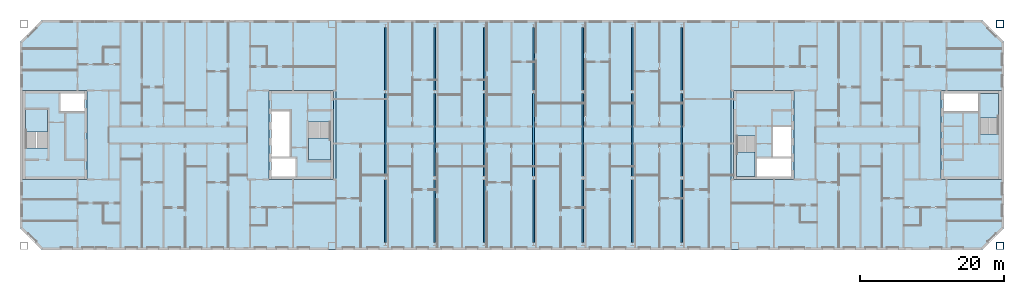
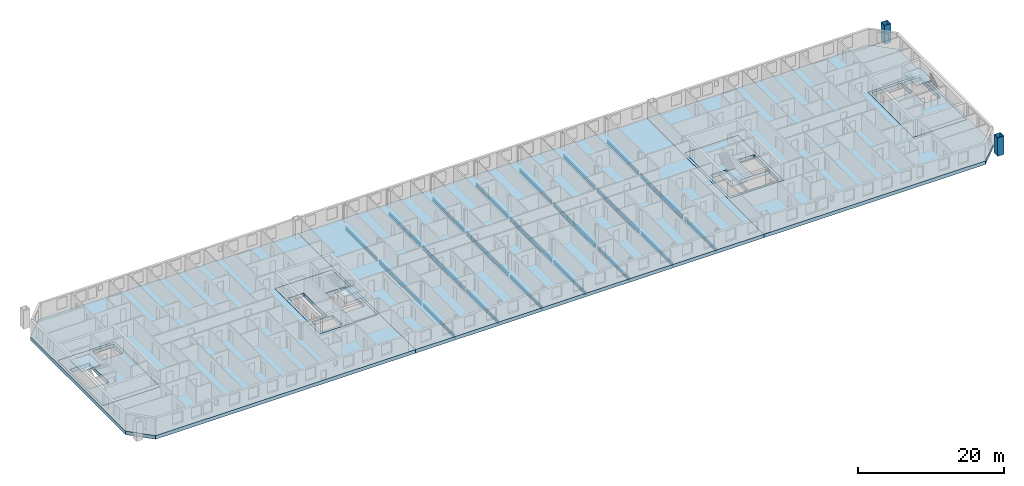
# One storey, part 3 of 19: 21 beams, 11 slabs, 2 columns, 4 elements without a shape of their own.
"""IFC4 building model written with IfcOpenShell, lengths in metres."""

from ifc_helpers import new_model, si_unit, direction, frame, origin, origin_2d, place, context, subcontext, project, spatial, polyline, hollow_rectangle, i_section, outline, extrude, material, layer, layer_set, material_profile, profile_set, type_object, element, aggregate, save


model = new_model("IFC4")

# Units and contexts
model_context = context("Model", 3, precision=1e-05, world=origin(), true_north=direction((0.0, 1.0)))
body_context = subcontext(model_context, "Body", "Model", "MODEL_VIEW")
ifc_project = project(units=[si_unit("LENGTHUNIT", "METRE"), si_unit("AREAUNIT", "SQUARE_METRE"), si_unit("VOLUMEUNIT", "CUBIC_METRE"), si_unit("PLANEANGLEUNIT", "RADIAN"), si_unit("MASSUNIT", "GRAM", prefix="KILO")], contexts=[model_context])

# Site, building, storey
site_placement = place(None, origin())
site = spatial("IfcSite", under=ifc_project, at=site_placement, CompositionType="ELEMENT")
building_placement = place(site_placement, origin())
building = spatial("IfcBuilding", under=site, at=building_placement, Name="Tuart Gate Housing", CompositionType="ELEMENT")
storey_placement = place(building_placement, frame((0.0, 0.0, 221.39990234375)))
storey = spatial("IfcBuildingStorey", under=building, at=storey_placement, Name="L62", CompositionType="ELEMENT", Elevation=221.39990234375)

# Columns
ifc_material_1 = material(Name="Steel Grade 350", Category="steel")
ifc_material_profile_1 = material_profile(ifc_material_1, hollow_rectangle(XDim=1.0, YDim=1.0, WallThickness=0.054931640625, at=origin_2d()), Name="BOX 1000x1000x55")
ifc_profile_set_1 = profile_set([ifc_material_profile_1], Name="Steel Grade 350")
column_type = type_object("IfcColumnType", Name="Mega column BOX 1000x1000x55", PredefinedType="COLUMN", material=ifc_profile_set_1)
for number, where, z_axis, x_axis, name in (
    (1, (168.449951171875, 54.550048828125, 0.0), (0.0, 0.0, 1.0), (1.0, 0.0, 0.0), "Mega column B south-east L62"),
    (2, (168.449951171875, 85.449951171875, 0.0), (0.0, 0.0, 1.0), (1.0, 0.0, 0.0), "Mega column B north-east L62"),
):
    element("IfcColumn", number, at=place(storey_placement, frame(where, z_axis=z_axis, x_axis=x_axis)), inside=storey, type_object=column_type, Name=name, PredefinedType="COLUMN", context=body_context, shape_type="SweptSolid", body=[
        extrude(hollow_rectangle(XDim=1.0, YDim=1.0, WallThickness=0.054931640625, at=origin_2d()), origin(), (0.0, 0.0, 1.0), 3.10009765625),
    ])

# Beams
ifc_material_2 = material(Name="Steel Grade 350", Category="steel")
ifc_material_profile_2 = material_profile(ifc_material_2, i_section(OverallWidth=0.208984375, OverallDepth=0.532958984375, WebThickness=0.01025390625, FlangeThickness=0.015625, at=origin_2d()), Name="530UB92.4")
ifc_profile_set_2 = profile_set([ifc_material_profile_2], Name="Steel Grade 350")
beam_type_1 = type_object("IfcBeamType", Name="Floor beam 530 UB92.4", PredefinedType="BEAM", material=ifc_profile_set_2)
for number, where, z_axis, x_axis, name in (
    (3, (82.875, 55.014892578125, -0.866943359375), (0.0, 1.0, 0.0), (-1.0, 0.0, 0.0), "Block floor beam L62 bay 1 position 1"),
    (4, (82.875, 76.215087890625, -0.866943359375), (0.0, 1.0, 0.0), (-1.0, 0.0, 0.0), "Block floor beam L62 bay 1 position 3"),
    (5, (89.75, 55.014892578125, -0.866943359375), (0.0, 1.0, 0.0), (-1.0, 0.0, 0.0), "Block floor beam L62 bay 2 position 1"),
    (6, (89.75, 76.215087890625, -0.866943359375), (0.0, 1.0, 0.0), (-1.0, 0.0, 0.0), "Block floor beam L62 bay 2 position 3"),
    (7, (96.625, 55.014892578125, -0.866943359375), (0.0, 1.0, 0.0), (-1.0, 0.0, 0.0), "Block floor beam L62 bay 3 position 1"),
    (8, (96.625, 76.215087890625, -0.866943359375), (0.0, 1.0, 0.0), (-1.0, 0.0, 0.0), "Block floor beam L62 bay 3 position 3"),
    (9, (103.5, 55.014892578125, -0.866943359375), (0.0, 1.0, 0.0), (-1.0, 0.0, 0.0), "Block floor beam L62 bay 4 position 1"),
    (10, (103.5, 76.215087890625, -0.866943359375), (0.0, 1.0, 0.0), (-1.0, 0.0, 0.0), "Block floor beam L62 bay 4 position 3"),
    (11, (110.375, 55.014892578125, -0.866943359375), (0.0, 1.0, 0.0), (-1.0, 0.0, 0.0), "Block floor beam L62 bay 5 position 1"),
    (12, (110.375, 76.215087890625, -0.866943359375), (0.0, 1.0, 0.0), (-1.0, 0.0, 0.0), "Block floor beam L62 bay 5 position 3"),
    (13, (117.25, 55.014892578125, -0.866943359375), (0.0, 1.0, 0.0), (-1.0, 0.0, 0.0), "Block floor beam L62 bay 6 position 1"),
    (14, (117.25, 76.215087890625, -0.866943359375), (0.0, 1.0, 0.0), (-1.0, 0.0, 0.0), "Block floor beam L62 bay 6 position 3"),
    (15, (124.125, 55.014892578125, -0.866943359375), (0.0, 1.0, 0.0), (-1.0, 0.0, 0.0), "Block floor beam L62 bay 7 position 1"),
    (16, (124.125, 76.215087890625, -0.866943359375), (0.0, 1.0, 0.0), (-1.0, 0.0, 0.0), "Block floor beam L62 bay 7 position 3"),
):
    element("IfcBeam", number, at=place(storey_placement, frame(where, z_axis=z_axis, x_axis=x_axis)), inside=storey, type_object=beam_type_1, Name=name, PredefinedType="BEAM", context=body_context, shape_type="SweptSolid", body=[
        extrude(i_section(OverallWidth=0.208984375, OverallDepth=0.532958984375, WebThickness=0.01025390625, FlangeThickness=0.015625, at=origin_2d()), origin(), (0.0, 0.0, 1.0), 8.77001953125),
    ])
ifc_material_3 = material(Name="Steel Grade 350", Category="steel")
ifc_material_profile_3 = material_profile(ifc_material_3, i_section(OverallWidth=0.22900390625, OverallDepth=0.612060546875, WebThickness=0.011962890625, FlangeThickness=0.01953125, at=origin_2d()), Name="610UB125")
ifc_profile_set_3 = profile_set([ifc_material_profile_3], Name="Steel Grade 350")
beam_type_2 = type_object("IfcBeamType", Name="Floor beam 610 UB125", PredefinedType="BEAM", material=ifc_profile_set_3)
for number, where, z_axis, x_axis, name in (
    (17, (82.875, 64.215087890625, -0.906005859375), (0.0, 1.0, 0.0), (-1.0, 0.0, 0.0), "Block floor beam L62 bay 1 position 2"),
    (18, (89.75, 64.215087890625, -0.906005859375), (0.0, 1.0, 0.0), (-1.0, 0.0, 0.0), "Block floor beam L62 bay 2 position 2"),
    (19, (96.625, 64.215087890625, -0.906005859375), (0.0, 1.0, 0.0), (-1.0, 0.0, 0.0), "Block floor beam L62 bay 3 position 2"),
    (20, (103.5, 64.215087890625, -0.906005859375), (0.0, 1.0, 0.0), (-1.0, 0.0, 0.0), "Block floor beam L62 bay 4 position 2"),
    (21, (110.375, 64.215087890625, -0.906005859375), (0.0, 1.0, 0.0), (-1.0, 0.0, 0.0), "Block floor beam L62 bay 5 position 2"),
    (22, (117.25, 64.215087890625, -0.906005859375), (0.0, 1.0, 0.0), (-1.0, 0.0, 0.0), "Block floor beam L62 bay 6 position 2"),
    (23, (124.125, 64.215087890625, -0.906005859375), (0.0, 1.0, 0.0), (-1.0, 0.0, 0.0), "Block floor beam L62 bay 7 position 2"),
):
    element("IfcBeam", number, at=place(storey_placement, frame(where, z_axis=z_axis, x_axis=x_axis)), inside=storey, type_object=beam_type_2, Name=name, PredefinedType="BEAM", context=body_context, shape_type="SweptSolid", body=[
        extrude(i_section(OverallWidth=0.22900390625, OverallDepth=0.612060546875, WebThickness=0.011962890625, FlangeThickness=0.01953125, at=origin_2d()), origin(), (0.0, 0.0, 1.0), 11.56982421875),
    ])

# Slabs
ifc_material_4 = material(Name="Concrete C40", Category="concrete")
ifc_layer_1 = layer(ifc_material_4, 0.60009765625)
ifc_layer_set_1 = layer_set([ifc_layer_1], Name="Core floor slab 600")
slab_type_1 = type_object("IfcSlabType", Name="Core floor slab 600", PredefinedType="FLOOR", material=ifc_layer_set_1)
slab_1_placement = place(storey_placement, frame((0.0, 0.0, -0.599853515625)))
element("IfcSlab", 24, at=slab_1_placement, inside=storey, type_object=slab_type_1, Name="Core floor AG", PredefinedType="FLOOR", context=body_context, shape_type="SweptSolid", body=[
    extrude(outline(polyline([(66.639892578125, 63.800048828125), (75.639892578125, 63.800048828125), (75.639892578125, 76.199951171875), (66.639892578125, 76.199951171875), (66.639892578125, 63.800048828125)]), holes=[polyline([(67.0400390625, 64.199951171875), (70.385009765625, 64.199951171875), (70.385009765625, 66.72509765625), (67.0400390625, 66.72509765625), (67.0400390625, 64.199951171875)]), polyline([(67.0400390625, 66.97509765625), (69.56494140625, 66.97509765625), (69.56494140625, 73.324951171875), (67.0400390625, 73.324951171875), (67.0400390625, 66.97509765625)]), polyline([(72.1650390625, 66.47509765625), (75.239990234375, 66.47509765625), (75.239990234375, 71.804931640625), (72.1650390625, 71.804931640625), (72.1650390625, 66.47509765625)])]), origin(), (0.0, 0.0, 1.0), 0.599853515625),
])
slab_2_placement = place(storey_placement, frame((0.0, 0.0, -0.599853515625)))
element("IfcSlab", 25, at=slab_2_placement, inside=storey, type_object=slab_type_1, Name="Core floor AK", PredefinedType="FLOOR", context=body_context, shape_type="SweptSolid", body=[
    extrude(outline(polyline([(32.360107421875, 63.800048828125), (41.360107421875, 63.800048828125), (41.360107421875, 76.199951171875), (32.360107421875, 76.199951171875), (32.360107421875, 63.800048828125)]), holes=[polyline([(40.9599609375, 75.800048828125), (37.614990234375, 75.800048828125), (37.614990234375, 73.27490234375), (40.9599609375, 73.27490234375), (40.9599609375, 75.800048828125)]), polyline([(35.8349609375, 73.52490234375), (32.760009765625, 73.52490234375), (32.760009765625, 68.195068359375), (35.8349609375, 68.195068359375), (35.8349609375, 73.52490234375)])]), origin(), (0.0, 0.0, 1.0), 0.599853515625),
])
slab_3_placement = place(storey_placement, frame((0.0, 0.0, -0.599853515625)))
element("IfcSlab", 26, at=slab_3_placement, inside=storey, type_object=slab_type_1, Name="Core floor BG", PredefinedType="FLOOR", context=body_context, shape_type="SweptSolid", body=[
    extrude(outline(polyline([(131.360107421875, 63.800048828125), (139.760009765625, 63.800048828125), (139.760009765625, 76.199951171875), (131.360107421875, 76.199951171875), (131.360107421875, 63.800048828125)]), holes=[polyline([(139.360107421875, 66.85009765625), (134.5849609375, 66.85009765625), (134.5849609375, 64.199951171875), (139.360107421875, 64.199951171875), (139.360107421875, 66.85009765625)]), polyline([(139.360107421875, 71.125), (136.8349609375, 71.125), (136.8349609375, 66.97509765625), (139.360107421875, 66.97509765625), (139.360107421875, 71.125)]), polyline([(134.3349609375, 69.85498046875), (131.760009765625, 69.85498046875), (131.760009765625, 64.199951171875), (134.3349609375, 64.199951171875), (134.3349609375, 69.85498046875)])]), origin(), (0.0, 0.0, 1.0), 0.599853515625),
])
slab_4_placement = place(storey_placement, frame((0.0, 0.0, -0.599853515625)))
element("IfcSlab", 27, at=slab_4_placement, inside=storey, type_object=slab_type_1, Name="Core floor BK", PredefinedType="FLOOR", context=body_context, shape_type="SweptSolid", body=[
    extrude(outline(polyline([(160.239990234375, 63.800048828125), (168.639892578125, 63.800048828125), (168.639892578125, 76.199951171875), (160.239990234375, 76.199951171875), (160.239990234375, 63.800048828125)]), holes=[polyline([(160.639892578125, 73.14990234375), (165.4150390625, 73.14990234375), (165.4150390625, 75.800048828125), (160.639892578125, 75.800048828125), (160.639892578125, 73.14990234375)]), polyline([(165.6650390625, 70.14501953125), (168.239990234375, 70.14501953125), (168.239990234375, 75.800048828125), (165.6650390625, 75.800048828125), (165.6650390625, 70.14501953125)])]), origin(), (0.0, 0.0, 1.0), 0.599853515625),
])

# Stair, slab
ifc_material_5 = material(Name="Concrete C40", Category="concrete")
stair_type_1 = type_object("IfcStairType", Name="Core stair 1500", PredefinedType="HALF_TURN_STAIR", material=ifc_material_5)
stair_1_placement = place(storey_placement, origin())
stair_1 = element("IfcStair", 28, at=stair_1_placement, inside=storey, type_object=stair_type_1, Name="Stair SA1", PredefinedType="HALF_TURN_STAIR")
ifc_material_6 = material(Name="Concrete C40", Category="concrete")
ifc_layer_2 = layer(ifc_material_6, 0.199951171875)
ifc_layer_set_2 = layer_set([ifc_layer_2], Name="Stair landing 200")
slab_type_2 = type_object("IfcSlabType", Name="Stair landing 200", PredefinedType="LANDING", material=ifc_layer_set_2)
slab_5_placement = place(storey_placement, frame((0.0, 0.0, 1.35009765625)))
slab_5 = element("IfcSlab", 29, at=slab_5_placement, type_object=slab_type_2, Name="SA1 landing 1", PredefinedType="LANDING", context=body_context, shape_type="SweptSolid", body=[
    extrude(outline(polyline([(72.1650390625, 66.47509765625), (75.239990234375, 66.47509765625), (75.239990234375, 69.5849609375), (72.1650390625, 69.5849609375), (72.1650390625, 66.47509765625)])), origin(), (0.0, 0.0, 1.0), 0.199951171875),
])
aggregate(stair_1, [slab_5])

stair_2_placement = place(storey_placement, origin())
stair_2 = element("IfcStair", 30, at=stair_2_placement, inside=storey, type_object=stair_type_1, Name="Stair SA2", PredefinedType="HALF_TURN_STAIR")
slab_6_placement = place(storey_placement, frame((0.0, 0.0, 1.35009765625)))
slab_6 = element("IfcSlab", 31, at=slab_6_placement, type_object=slab_type_2, Name="SA2 landing 1", PredefinedType="LANDING", context=body_context, shape_type="SweptSolid", body=[
    extrude(outline(polyline([(35.8349609375, 73.52490234375), (32.760009765625, 73.52490234375), (32.760009765625, 70.4150390625), (35.8349609375, 70.4150390625), (35.8349609375, 73.52490234375)])), origin(), (0.0, 0.0, 1.0), 0.199951171875),
])
aggregate(stair_2, [slab_6])

ifc_material_7 = material(Name="Concrete C40", Category="concrete")
stair_type_2 = type_object("IfcStairType", Name="Core stair 1250", PredefinedType="HALF_TURN_STAIR", material=ifc_material_7)
stair_3_placement = place(storey_placement, origin())
stair_3 = element("IfcStair", 32, at=stair_3_placement, inside=storey, type_object=stair_type_2, Name="Stair SB1", PredefinedType="HALF_TURN_STAIR")
slab_7_placement = place(storey_placement, frame((0.0, 0.0, 1.35009765625)))
slab_7 = element("IfcSlab", 33, at=slab_7_placement, type_object=slab_type_2, Name="SB1 landing 1", PredefinedType="LANDING", context=body_context, shape_type="SweptSolid", body=[
    extrude(outline(polyline([(134.3349609375, 67.635009765625), (131.760009765625, 67.635009765625), (131.760009765625, 64.199951171875), (134.3349609375, 64.199951171875), (134.3349609375, 67.635009765625)])), origin(), (0.0, 0.0, 1.0), 0.199951171875),
])
aggregate(stair_3, [slab_7])

stair_4_placement = place(storey_placement, origin())
stair_4 = element("IfcStair", 34, at=stair_4_placement, inside=storey, type_object=stair_type_2, Name="Stair SB2", PredefinedType="HALF_TURN_STAIR")
slab_8_placement = place(storey_placement, frame((0.0, 0.0, 1.35009765625)))
slab_8 = element("IfcSlab", 35, at=slab_8_placement, type_object=slab_type_2, Name="SB2 landing 1", PredefinedType="LANDING", context=body_context, shape_type="SweptSolid", body=[
    extrude(outline(polyline([(165.6650390625, 72.364990234375), (168.239990234375, 72.364990234375), (168.239990234375, 75.800048828125), (165.6650390625, 75.800048828125), (165.6650390625, 72.364990234375)])), origin(), (0.0, 0.0, 1.0), 0.199951171875),
])
aggregate(stair_4, [slab_8])

# Slabs
ifc_material_8 = material(Name="Concrete C40", Category="concrete")
ifc_layer_3 = layer(ifc_material_8, 0.60009765625)
ifc_layer_set_3 = layer_set([ifc_layer_3], Name="Transfer plate 600")
slab_type_3 = type_object("IfcSlabType", Name="Transfer plate 600", PredefinedType="FLOOR", material=ifc_layer_set_3)
slab_9_placement = place(storey_placement, frame((0.0, 0.0, -0.599853515625)))
element("IfcSlab", 36, at=slab_9_placement, inside=storey, type_object=slab_type_3, Name="Floor slab A L62", PredefinedType="FLOOR", context=body_context, shape_type="SweptSolid", body=[
    extrude(outline(polyline([(35.0, 86.0), (32.0, 83.0), (32.0, 57.0), (35.0, 54.0), (76.0, 54.0), (76.0, 86.0), (35.0, 86.0)]), holes=[polyline([(66.639892578125, 76.199951171875), (75.639892578125, 76.199951171875), (75.639892578125, 63.800048828125), (66.639892578125, 63.800048828125), (66.639892578125, 76.199951171875)]), polyline([(41.360107421875, 76.199951171875), (41.360107421875, 63.800048828125), (32.360107421875, 63.800048828125), (32.360107421875, 76.199951171875), (41.360107421875, 76.199951171875)])]), origin(), (0.0, 0.0, 1.0), 0.599853515625),
])
slab_10_placement = place(storey_placement, frame((0.0, 0.0, -0.599853515625)))
element("IfcSlab", 37, at=slab_10_placement, inside=storey, type_object=slab_type_3, Name="Floor slab B L62", PredefinedType="FLOOR", context=body_context, shape_type="SweptSolid", body=[
    extrude(outline(polyline([(166.0, 86.0), (131.0, 86.0), (131.0, 54.0), (166.0, 54.0), (169.0, 57.0), (169.0, 83.0), (166.0, 86.0)]), holes=[polyline([(131.360107421875, 76.199951171875), (139.760009765625, 76.199951171875), (139.760009765625, 63.800048828125), (131.360107421875, 63.800048828125), (131.360107421875, 76.199951171875)]), polyline([(168.639892578125, 76.199951171875), (168.639892578125, 63.800048828125), (160.239990234375, 63.800048828125), (160.239990234375, 76.199951171875), (168.639892578125, 76.199951171875)])]), origin(), (0.0, 0.0, 1.0), 0.599853515625),
])
slab_11_placement = place(storey_placement, frame((0.0, 0.0, -0.599853515625)))
element("IfcSlab", 38, at=slab_11_placement, inside=storey, type_object=slab_type_3, Name="Link floor slab L62", PredefinedType="FLOOR", context=body_context, shape_type="SweptSolid", body=[
    extrude(outline(polyline([(76.0, 54.0), (131.0, 54.0), (131.0, 86.0), (76.0, 86.0), (76.0, 54.0)])), origin(), (0.0, 0.0, 1.0), 0.599853515625),
])

save(model, "model.ifc")
